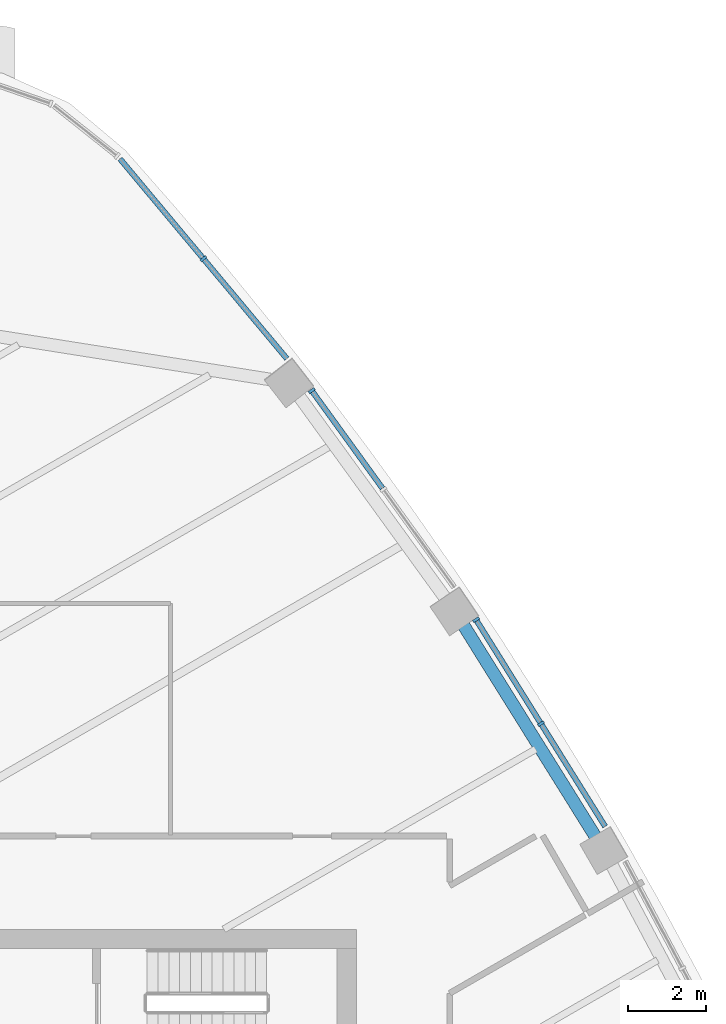
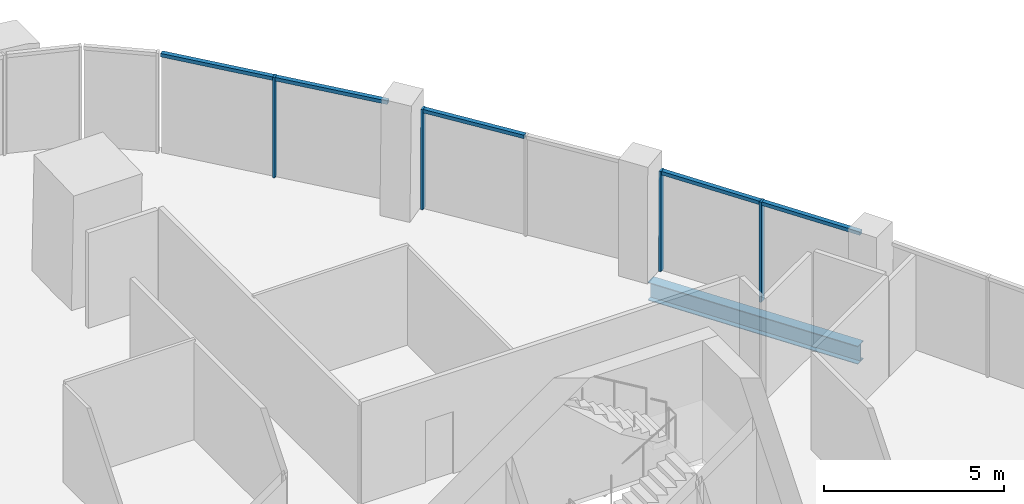
# One storey, part 6 of 15: 9 members, 1 beam, 3 elements without a shape of their own.
"""IFC4 building model written with IfcOpenShell, lengths in metres."""

from ifc_helpers import new_model, si_unit, direction, frame, origin, origin_2d, place, context, subcontext, project, spatial, rectangle, i_section, extrude, material, layer, layer_set, material_profile, profile_set, type_object, element, aggregate, save


model = new_model("IFC4")

# Units and contexts
model_context = context("Model", 3, precision=1e-05, world=origin(), true_north=direction((0.0, 1.0)))
body_context = subcontext(model_context, "Body", "Model", "MODEL_VIEW")
ifc_project = project(units=[si_unit("LENGTHUNIT", "METRE"), si_unit("AREAUNIT", "SQUARE_METRE"), si_unit("VOLUMEUNIT", "CUBIC_METRE"), si_unit("PLANEANGLEUNIT", "RADIAN"), si_unit("MASSUNIT", "GRAM", prefix="KILO")], contexts=[model_context])

# Site, building, storey
site_placement = place(None, origin())
site = spatial("IfcSite", under=ifc_project, at=site_placement, CompositionType="ELEMENT")
building_placement = place(site_placement, origin())
building = spatial("IfcBuilding", under=site, at=building_placement, Name="Sierra Prisma Convention Tower", CompositionType="ELEMENT")
storey_placement = place(building_placement, frame((0.0, 0.0, 299.0)))
storey = spatial("IfcBuildingStorey", under=building, at=storey_placement, Name="L68", CompositionType="ELEMENT", Elevation=299.0)

# Curtain wall, members
ifc_material_1 = material(Name="Aluminium and glass curtain wall", Category="aluminium")
ifc_layer = layer(ifc_material_1, 0.179931640625)
ifc_layer_set = layer_set([ifc_layer], Name="CW-1 Plain shaft curtain wall")
curtain_wall_type = type_object("IfcCurtainWallType", Name="CW-1 Plain shaft curtain wall", PredefinedType="NOTDEFINED", material=ifc_layer_set)
curtain_wall_1_placement = place(storey_placement, origin())
curtain_wall_1 = element("IfcCurtainWall", 1, at=curtain_wall_1_placement, inside=storey, type_object=curtain_wall_type, Name="CW-1 NE4 L68", PredefinedType="NOTDEFINED")
ifc_material_2 = material(Name="Aluminium 6063-T6 bronze anodised", Category="aluminium")
ifc_material_profile_1 = material_profile(ifc_material_2, rectangle(XDim=0.179931640625, YDim=0.070068359375, at=origin_2d()), Name="ALU MULLION 70x180")
ifc_profile_set_1 = profile_set([ifc_material_profile_1], Name="Aluminium 6063-T6 bronze anodised")
member_type_1 = type_object("IfcMemberType", Name="CW mullion bronze", PredefinedType="MULLION", material=ifc_profile_set_1)
member_1_placement = place(storey_placement, frame((15.751708984375, 13.297607421875, 0.0), z_axis=(0.0, 0.0, 1.0), x_axis=(-0.848286734038, -0.529537172307, 0.0)))
member_1 = element("IfcMember", 2, at=member_1_placement, type_object=member_type_1, Name="CW-1 mullion NE4.2", PredefinedType="MULLION", context=body_context, shape_type="SweptSolid", body=[
    extrude(rectangle(XDim=0.179931640625, YDim=0.070068359375, at=origin_2d()), origin(), (0.0, 0.0, 1.0), 3.39990234375),
])
member_2_placement = place(storey_placement, frame((14.079833984375, 15.97607421875, 0.0), z_axis=(0.0, 0.0, 1.0), x_axis=(-0.848286734038, -0.529537172307, 0.0)))
member_2 = element("IfcMember", 3, at=member_2_placement, type_object=member_type_1, Name="CW-1 mullion NE4.3", PredefinedType="MULLION", context=body_context, shape_type="SweptSolid", body=[
    extrude(rectangle(XDim=0.179931640625, YDim=0.070068359375, at=origin_2d()), origin(), (0.0, 0.0, 1.0), 3.39990234375),
])

# Curtain wall, member
curtain_wall_2_placement = place(storey_placement, origin())
curtain_wall_2 = element("IfcCurtainWall", 4, at=curtain_wall_2_placement, inside=storey, type_object=curtain_wall_type, Name="CW-1 NE5 L68", PredefinedType="NOTDEFINED")
member_3_placement = place(storey_placement, frame((9.844970703125, 21.8798828125, 0.0), z_axis=(0.0, 0.0, 1.0), x_axis=(-0.809810631471, -0.586691350845, 0.0)))
member_3 = element("IfcMember", 5, at=member_3_placement, type_object=member_type_1, Name="CW-1 mullion NE5.3", PredefinedType="MULLION", context=body_context, shape_type="SweptSolid", body=[
    extrude(rectangle(XDim=0.179931640625, YDim=0.070068359375, at=origin_2d()), origin(), (0.0, 0.0, 1.0), 3.39990234375),
])

curtain_wall_3_placement = place(storey_placement, origin())
curtain_wall_3 = element("IfcCurtainWall", 6, at=curtain_wall_3_placement, inside=storey, type_object=curtain_wall_type, Name="CW-1 NE6 L68", PredefinedType="NOTDEFINED")
member_4_placement = place(storey_placement, frame((7.052734375, 25.279296875, 0.0), z_axis=(0.0, 0.0, 1.0), x_axis=(-0.767490349258, -0.641060499326, 0.0)))
member_4 = element("IfcMember", 7, at=member_4_placement, type_object=member_type_1, Name="CW-1 mullion NE6.2", PredefinedType="MULLION", context=body_context, shape_type="SweptSolid", body=[
    extrude(rectangle(XDim=0.179931640625, YDim=0.070068359375, at=origin_2d()), origin(), (0.0, 0.0, 1.0), 3.39990234375),
])

# Member
ifc_material_3 = material(Name="Aluminium 6063-T6 bronze anodised", Category="aluminium")
ifc_material_profile_2 = material_profile(ifc_material_3, rectangle(XDim=0.139892578125, YDim=0.1201171875, at=origin_2d()), Name="ALU TRANSOM 120x140")
ifc_profile_set_2 = profile_set([ifc_material_profile_2], Name="Aluminium 6063-T6 bronze anodised")
member_type_2 = type_object("IfcMemberType", Name="CW transom bronze", PredefinedType="USERDEFINED", material=ifc_profile_set_2)
member_5_placement = place(storey_placement, frame((17.4052734375, 10.64892578125, 3.340087890625), z_axis=(-0.529543978673, 0.848282485173, 0.0), x_axis=(-0.848282485173, -0.529543978673, 0.0)))
member_5 = element("IfcMember", 8, at=member_5_placement, type_object=member_type_2, Name="CW-1 transom NE4.1", ObjectType="TRANSOM", PredefinedType="USERDEFINED", context=body_context, shape_type="SweptSolid", body=[
    extrude(rectangle(XDim=0.139892578125, YDim=0.1201171875, at=origin_2d()), origin(), (0.0, 0.0, 1.0), 3.087646484375),
])

member_6_placement = place(storey_placement, frame((15.733154296875, 13.327392578125, 3.340087890625), z_axis=(-0.529543978673, 0.848282485173, 0.0), x_axis=(-0.848282485173, -0.529543978673, 0.0)))
member_6 = element("IfcMember", 9, at=member_6_placement, type_object=member_type_2, Name="CW-1 transom NE4.2", ObjectType="TRANSOM", PredefinedType="USERDEFINED", context=body_context, shape_type="SweptSolid", body=[
    extrude(rectangle(XDim=0.139892578125, YDim=0.1201171875, at=origin_2d()), origin(), (0.0, 0.0, 1.0), 3.087646484375),
])

aggregate(curtain_wall_1, [member_1, member_2, member_5, member_6])

member_7_placement = place(storey_placement, frame((11.66796875, 19.36328125, 3.340087890625), z_axis=(-0.586682363305, 0.809817142685, 0.0), x_axis=(-0.809817142685, -0.586682363305, 0.0)))
member_7 = element("IfcMember", 10, at=member_7_placement, type_object=member_type_2, Name="CW-1 transom NE5.2", ObjectType="TRANSOM", PredefinedType="USERDEFINED", context=body_context, shape_type="SweptSolid", body=[
    extrude(rectangle(XDim=0.139892578125, YDim=0.1201171875, at=origin_2d()), origin(), (0.0, 0.0, 1.0), 3.072265625),
])

aggregate(curtain_wall_2, [member_3, member_7])

member_8_placement = place(storey_placement, frame((9.202392578125, 22.70556640625, 3.340087890625), z_axis=(-0.641037928592, 0.767509201317, 0.0), x_axis=(-0.767509201317, -0.641037928592, 0.0)))
member_8 = element("IfcMember", 11, at=member_8_placement, type_object=member_type_2, Name="CW-1 transom NE6.1", ObjectType="TRANSOM", PredefinedType="USERDEFINED", context=body_context, shape_type="SweptSolid", body=[
    extrude(rectangle(XDim=0.139892578125, YDim=0.1201171875, at=origin_2d()), origin(), (0.0, 0.0, 1.0), 3.318359375),
])

member_9_placement = place(storey_placement, frame((7.0302734375, 25.30615234375, 3.340087890625), z_axis=(-0.641074127819, 0.767478965601, 0.0), x_axis=(-0.767478965601, -0.641074127819, 0.0)))
member_9 = element("IfcMember", 12, at=member_9_placement, type_object=member_type_2, Name="CW-1 transom NE6.2", ObjectType="TRANSOM", PredefinedType="USERDEFINED", context=body_context, shape_type="SweptSolid", body=[
    extrude(rectangle(XDim=0.139892578125, YDim=0.1201171875, at=origin_2d()), origin(), (0.0, 0.0, 1.0), 3.318115234375),
])

aggregate(curtain_wall_3, [member_4, member_8, member_9])

# Beam
ifc_material_4 = material(Name="Steel ASTM A992 Gr 50", Category="steel")
ifc_material_profile_3 = material_profile(ifc_material_4, i_section(OverallWidth=0.324951171875, OverallDepth=0.615966796875, WebThickness=0.013916015625, FlangeThickness=0.021484375, at=origin_2d()), Name="W610x174")
ifc_profile_set_3 = profile_set([ifc_material_profile_3], Name="Steel ASTM A992 Gr 50")
beam_type = type_object("IfcBeamType", Name="Spandrel beam W610x174", PredefinedType="BEAM", material=ifc_profile_set_3)
beam_placement = place(storey_placement, frame((17.202392578125, 10.31298828125, -0.4580078125), z_axis=(-0.52952755813, 0.848292735547, 0.0), x_axis=(-0.848292735547, -0.52952755813, 0.0)))
element("IfcBeam", 13, at=beam_placement, inside=storey, type_object=beam_type, Name="Spandrel L68-10", PredefinedType="BEAM", context=body_context, shape_type="SweptSolid", body=[
    extrude(i_section(OverallWidth=0.324951171875, OverallDepth=0.615966796875, WebThickness=0.013916015625, FlangeThickness=0.021484375, at=origin_2d()), origin(), (0.0, 0.0, 1.0), 6.612060546875),
])

save(model, "model.ifc")
